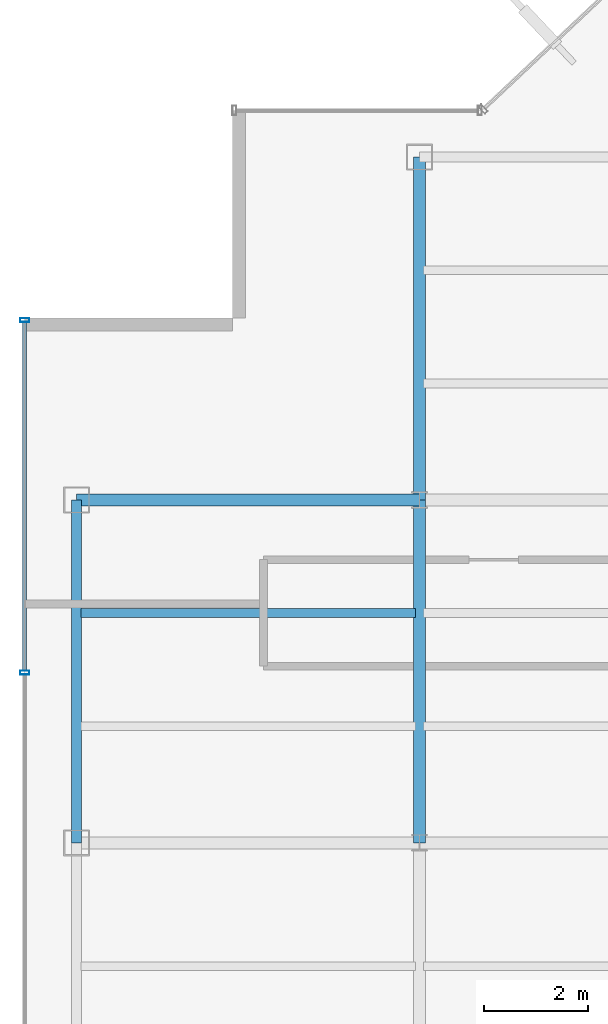
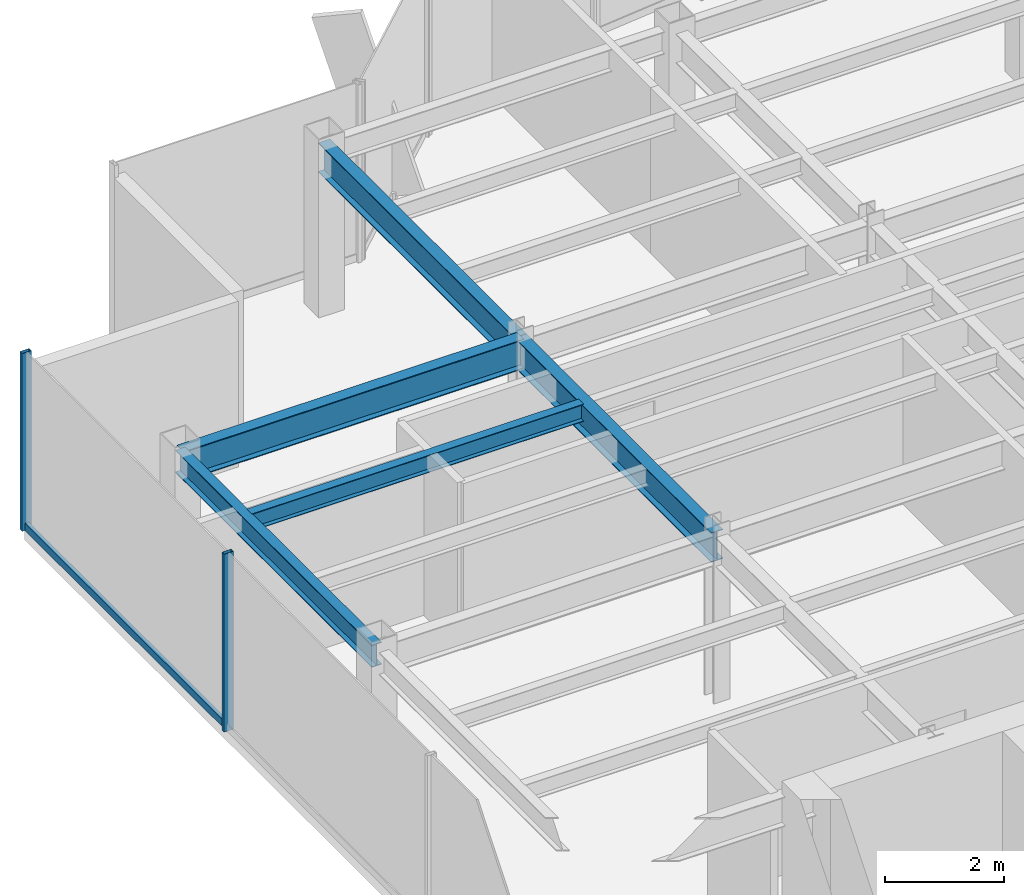
# One storey, part 7 of 22: 5 beams, 3 members, 1 element without a shape of its own.
"""IFC4 building model written with IfcOpenShell, lengths in metres."""

import ifcopenshell
import ifcopenshell.guid

model = None  # the IFC model being written
_history = None  # IfcOwnerHistory: only IFC2X3 demands one
_inside = {}  # id of a spatial element -> (the spatial element, [elements in it])
_under = {}  # id of a project, library or spatial element -> (it, [spatial elements below it])
_declared = {}  # id of a project -> (the project, [libraries it declares])
_typed = {}  # id of a type object -> (the type object, [elements of that type])
_made_of = {}  # id of a material, layer set ... -> (it, [elements and type objects made of it])


def new_model(schema):
    """Start an empty IFC model of exactly this schema.

    Asked for "IFC4X3", IfcOpenShell would pick the latest addendum, in which some entities
    have other attributes; the version numbers below select the first issue.
    IFC2X3 requires an IfcOwnerHistory on every rooted entity: one is made here for all.
    """
    global model, _history
    if schema == "IFC4X3":
        model = ifcopenshell.file(schema_version=(4, 3, 0, 0))
    else:
        model = ifcopenshell.file(schema=schema)
    _inside.clear()
    _under.clear()
    _declared.clear()
    _typed.clear()
    _made_of.clear()
    _history = None
    if model.schema == "IFC2X3":
        org = make("IfcOrganization", Name="unknown")
        user = make(
            "IfcPersonAndOrganization",
            ThePerson=make("IfcPerson", FamilyName="unknown"),
            TheOrganization=org,
        )
        app = make(
            "IfcApplication",
            ApplicationDeveloper=org,
            Version="unknown",
            ApplicationFullName="unknown",
            ApplicationIdentifier="unknown",
        )
        _history = make(
            "IfcOwnerHistory",
            OwningUser=user,
            OwningApplication=app,
            ChangeAction="ADDED",
            CreationDate=0,
        )
    return model


def make(cls, **values):
    """One entity of the class cls with the attributes given. An attribute that is None is left unset."""
    return model.create_entity(
        cls, **{name: value for name, value in values.items() if value is not None}
    )


def rooted(cls, **values):
    """An entity with a GlobalId (a new one), such as an element, a storey or a relation."""
    return make(cls, GlobalId=ifcopenshell.guid.new(), OwnerHistory=_history, **values)


def si_unit(unit_type, name, prefix=None):
    """IfcSIUnit, for example si_unit("LENGTHUNIT", "METRE", prefix="MILLI")."""
    return make("IfcSIUnit", UnitType=unit_type, Prefix=prefix, Name=name)


def derived_unit(unit_type, elements):
    """IfcDerivedUnit: a product of units, each with its exponent."""
    return make(
        "IfcDerivedUnit",
        Elements=[
            make("IfcDerivedUnitElement", Unit=unit, Exponent=power)
            for unit, power in elements
        ],
        UnitType=unit_type,
    )


def assignment(units):
    """IfcUnitAssignment: the units of a project."""
    return None if units is None else make("IfcUnitAssignment", Units=units)


def point(xyz):
    """IfcCartesianPoint."""
    return None if xyz is None else make("IfcCartesianPoint", Coordinates=xyz)


def direction(xyz):
    """IfcDirection."""
    return None if xyz is None else make("IfcDirection", DirectionRatios=xyz)


def frame(location, z_axis=None, x_axis=None):
    """IfcAxis2Placement3D, a coordinate frame: its origin and axes. An axis left out is left unset."""
    return make(
        "IfcAxis2Placement3D",
        Location=point(location),
        Axis=direction(z_axis),
        RefDirection=direction(x_axis),
    )


def frame_2d(location, x_axis=None):
    """IfcAxis2Placement2D, a coordinate frame in the plane: its origin and x axis."""
    return make(
        "IfcAxis2Placement2D", Location=point(location), RefDirection=direction(x_axis)
    )


def origin():
    """The frame at (0, 0, 0) with its axes left unset."""
    return frame((0.0, 0.0, 0.0))


def origin_2d():
    """The frame at (0, 0) in the plane with its x axis left unset."""
    return frame_2d((0.0, 0.0))


def place(relative_to, where):
    """IfcLocalPlacement: puts the frame where relative to a parent placement (None: the world)."""
    return make(
        "IfcLocalPlacement", PlacementRelTo=relative_to, RelativePlacement=where
    )


def context(
    kind, dimensions, precision=None, world=None, true_north=None, identifier=None
):
    """IfcGeometricRepresentationContext, for example the 3D "Model" context."""
    return make(
        "IfcGeometricRepresentationContext",
        ContextIdentifier=identifier,
        ContextType=kind,
        CoordinateSpaceDimension=dimensions,
        Precision=precision,
        WorldCoordinateSystem=world,
        TrueNorth=true_north,
    )


def subcontext(parent, identifier, kind, view, scale=None):
    """IfcGeometricRepresentationSubContext, for example "Body" below "Model"."""
    return make(
        "IfcGeometricRepresentationSubContext",
        ContextIdentifier=identifier,
        ContextType=kind,
        ParentContext=parent,
        TargetScale=scale,
        TargetView=view,
    )


def project(units=None, contexts=None):
    """IfcProject with its units and contexts."""
    return rooted(
        "IfcProject",
        Name="project",
        RepresentationContexts=contexts,
        UnitsInContext=assignment(units),
    )


def spatial(cls, under=None, at=None, **own):
    """A site, building, storey or space (cls), placed at a placement, below another one or the project."""
    s = rooted(cls, ObjectPlacement=at, **own)
    if under is not None:
        _under.setdefault(under.id(), (under, []))[1].append(s)
    return s


def profile(cls, at=None, kind="AREA", **sizes):
    """A parametric profile (cls). Its sizes go by their IFC names, for example OverallWidth=200.0."""
    return make(cls, ProfileType=kind, Position=at, **sizes)


def hollow_rectangle(**sizes):
    """IfcRectangleHollowProfileDef."""
    return profile("IfcRectangleHollowProfileDef", **sizes)


def i_section(**sizes):
    """IfcIShapeProfileDef."""
    return profile("IfcIShapeProfileDef", **sizes)


def extrude(swept, where, along, depth):
    """IfcExtrudedAreaSolid: the profile swept, set in the frame where, extruded along a direction by depth."""
    return make(
        "IfcExtrudedAreaSolid",
        SweptArea=swept,
        Position=where,
        ExtrudedDirection=direction(along),
        Depth=depth,
    )


def shape(context_of_items, identifier, shape_type, items):
    """IfcShapeRepresentation: the items that make up one representation, for example the "Body"."""
    return make(
        "IfcShapeRepresentation",
        ContextOfItems=context_of_items,
        RepresentationIdentifier=identifier,
        RepresentationType=shape_type,
        Items=items,
    )


def source(mapping_origin, context_of_items, identifier, shape_type, items):
    """IfcRepresentationMap: a shape defined once, which mapped items show again and again."""
    return make(
        "IfcRepresentationMap",
        MappingOrigin=mapping_origin,
        MappedRepresentation=shape(context_of_items, identifier, shape_type, items),
    )


def transform(
    local_origin,
    x_axis=None,
    y_axis=None,
    z_axis=None,
    scale=None,
    scale2=None,
    scale3=None,
    uniform=True,
):
    """IfcCartesianTransformationOperator3D, or its non-uniform kind. x_axis, y_axis, z_axis: its Axis1, 2, 3."""
    if uniform:
        return make(
            "IfcCartesianTransformationOperator3D",
            Axis1=direction(x_axis),
            Axis2=direction(y_axis),
            LocalOrigin=point(local_origin),
            Scale=scale,
            Axis3=direction(z_axis),
        )
    return make(
        "IfcCartesianTransformationOperator3DnonUniform",
        Axis1=direction(x_axis),
        Axis2=direction(y_axis),
        LocalOrigin=point(local_origin),
        Scale=scale,
        Axis3=direction(z_axis),
        Scale2=scale2,
        Scale3=scale3,
    )


def mapped(mapping_source, mapping_target):
    """IfcMappedItem: shows the shape of a source again, moved by a transform."""
    return make(
        "IfcMappedItem", MappingSource=mapping_source, MappingTarget=mapping_target
    )


def material(Name=None, Category=None):
    """IfcMaterial."""
    return make("IfcMaterial", Name=Name, Category=Category)


def material_profile(
    of_material, cross_section, Name=None, Category=None, Priority=None
):
    """IfcMaterialProfile: a cross section and its material."""
    return make(
        "IfcMaterialProfile",
        Name=Name,
        Material=of_material,
        Profile=cross_section,
        Priority=Priority,
        Category=Category,
    )


def profile_set(profiles, Name=None, composite=None):
    """IfcMaterialProfileSet."""
    return make(
        "IfcMaterialProfileSet",
        Name=Name,
        MaterialProfiles=profiles,
        CompositeProfile=composite,
    )


def made_of(thing, what):
    """Note that an element or type object is made of a material, layer set ...; save() writes the relation."""
    if what is not None:
        _made_of.setdefault(what.id(), (what, []))[1].append(thing)
    return thing


def type_object(cls, material=None, **own):
    """A type object (cls), such as IfcWallType, which elements share."""
    return made_of(rooted(cls, **own), material)


def element(
    cls,
    number,
    at=None,
    inside=None,
    cuts=None,
    type_object=None,
    material=None,
    context=None,
    identifier="Body",
    shape_type=None,
    held_by="IfcProductDefinitionShape",
    body=None,
    shapes=None,
    **own,
):
    """One element of the class cls, such as IfcWall. Its Tag is "e" and its number.

    at: its placement. inside: the storey or other place that contains it. cuts: it is an
    opening in that element (IfcRelVoidsElement). A single representation is given by context,
    identifier, shape_type and body (its items); several are given by shapes. held_by: the class
    of the entity that holds the representations. save() writes the other relations.
    """
    e = rooted(cls, Tag="e%d" % number, ObjectPlacement=at, **own)
    if body is not None:
        shapes = [shape(context, identifier, shape_type, body)]
    if shapes is not None:
        e.Representation = make(held_by, Representations=shapes)
    if inside is not None:
        _inside.setdefault(inside.id(), (inside, []))[1].append(e)
    if cuts is not None:
        rooted(
            "IfcRelVoidsElement", RelatingBuildingElement=cuts, RelatedOpeningElement=e
        )
    if type_object is not None:
        _typed.setdefault(type_object.id(), (type_object, []))[1].append(e)
    return made_of(e, material)


def aggregate(whole, parts):
    """IfcRelAggregates: a whole, such as a stair, and the parts it consists of."""
    return rooted("IfcRelAggregates", RelatingObject=whole, RelatedObjects=parts)


def save(model, path):
    """Write the relations noted so far, then the file.

    IfcRelAggregates (storeys below a building ...), IfcRelContainedInSpatialStructure (elements
    in a storey), IfcRelDefinesByType, IfcRelAssociatesMaterial and IfcRelDeclares: one each for
    every whole, place, type object, material and project.
    """
    for whole, parts in _under.values():
        aggregate(whole, parts)
    for where, things in _inside.values():
        rooted(
            "IfcRelContainedInSpatialStructure",
            RelatedElements=things,
            RelatingStructure=where,
        )
    for kind, things in _typed.values():
        rooted("IfcRelDefinesByType", RelatedObjects=things, RelatingType=kind)
    for what, things in _made_of.values():
        rooted("IfcRelAssociatesMaterial", RelatedObjects=things, RelatingMaterial=what)
    for by, libraries in _declared.values():
        rooted("IfcRelDeclares", RelatingContext=by, RelatedDefinitions=libraries)
    model.write(path)


model = new_model("IFC4")

# Units and contexts
model_context = context("Model", 3, precision=1e-05, world=origin(), true_north=direction((0.0, 1.0)))
body_context = subcontext(model_context, "Body", "Model", "MODEL_VIEW")
ifc_project = project(units=[si_unit("LENGTHUNIT", "METRE"), si_unit("AREAUNIT", "SQUARE_METRE"), si_unit("VOLUMEUNIT", "CUBIC_METRE"), si_unit("PLANEANGLEUNIT", "RADIAN"), si_unit("MASSUNIT", "GRAM", prefix="KILO"), derived_unit("THERMALTRANSMITTANCEUNIT", [(si_unit("POWERUNIT", "WATT"), 1), (si_unit("LENGTHUNIT", "METRE"), -2), (si_unit("THERMODYNAMICTEMPERATUREUNIT", "KELVIN"), -1)])], contexts=[model_context])

# Site, building, storey
site_placement = place(None, origin())
site = spatial("IfcSite", under=ifc_project, at=site_placement, CompositionType="ELEMENT")
building_placement = place(site_placement, origin())
building = spatial("IfcBuilding", under=site, at=building_placement, Name="Skarnbrae Concourse Arena and Tower", CompositionType="ELEMENT")
storey_placement = place(building_placement, frame((0.0, 0.0, 221.449951171875)))
storey = spatial("IfcBuildingStorey", under=building, at=storey_placement, Name="L57", CompositionType="ELEMENT", Elevation=221.449951171875)

# Beams
ifc_material_1 = material(Name="Steel CSA G40.21 350W", Category="steel")
ifc_material_profile_1 = material_profile(ifc_material_1, i_section(OverallWidth=0.22802734375, OverallDepth=0.60791015625, WebThickness=0.01123046875, FlangeThickness=0.017333984375, at=origin_2d()), Name="W610X113")
ifc_profile_set_1 = profile_set([ifc_material_profile_1], Name="Steel CSA G40.21 350W")
beam_type_1 = type_object("IfcBeamType", Name="BM-GIRD-W610X113", PredefinedType="BEAM", material=ifc_profile_set_1)
shared_shape_1 = source(origin(), body_context, "Body", "SweptSolid", [
    extrude(i_section(OverallWidth=0.22802734375, OverallDepth=0.60791015625, WebThickness=0.01123046875, FlangeThickness=0.017333984375, at=origin_2d()), origin(), (0.0, 0.0, 1.0), 6.60009765625),
])
for number, where, z_axis, x_axis, name in (
    (1, (1.0, 27.800048828125, 3.095947265625), (1.0, 0.0, 0.0), (0.0, 1.0, 0.0), "L57 Primary E-W girder Y27.8-1"),
    (2, (7.60009765625, 21.199951171875, 3.095947265625), (0.0, 1.0, 0.0), (-1.0, 0.0, 0.0), "L57 Primary N-S girder X7.6-2"),
):
    element("IfcBeam", number, at=place(storey_placement, frame(where, z_axis=z_axis, x_axis=x_axis)), inside=storey, type_object=beam_type_1, Name=name, PredefinedType="BEAM", context=body_context, shape_type="MappedRepresentation", body=[
        mapped(shared_shape_1, transform((0.0, 0.0, 0.0))),
    ])
ifc_material_profile_2 = material_profile(ifc_material_1, i_section(OverallWidth=0.19091796875, OverallDepth=0.4599609375, WebThickness=0.010009765625, FlangeThickness=0.01611328125, at=origin_2d()), Name="W460X82")
ifc_profile_set_2 = profile_set([ifc_material_profile_2], Name="Steel CSA G40.21 350W")
beam_type_2 = type_object("IfcBeamType", Name="BM-SPAN-W460X82", PredefinedType="SPANDREL", material=ifc_profile_set_2)
shared_shape_2 = source(origin(), body_context, "Body", "SweptSolid", [
    extrude(i_section(OverallWidth=0.19091796875, OverallDepth=0.4599609375, WebThickness=0.010009765625, FlangeThickness=0.01611328125, at=origin_2d()), origin(), (0.0, 0.0, 1.0), 6.60009765625),
])
beam_1_placement = place(storey_placement, frame((1.0, 21.199951171875, 3.170166015625), z_axis=(0.0, 1.0, 0.0), x_axis=(-1.0, 0.0, 0.0)))
element("IfcBeam", 3, at=beam_1_placement, inside=storey, type_object=beam_type_2, Name="L57 Perimeter spandrel X1.0-3", PredefinedType="SPANDREL", context=body_context, shape_type="MappedRepresentation", body=[
    mapped(shared_shape_2, transform((0.0, 0.0, 0.0))),
])
shared_shape_3 = source(origin(), body_context, "Body", "SweptSolid", [
    extrude(i_section(OverallWidth=0.22802734375, OverallDepth=0.60791015625, WebThickness=0.01123046875, FlangeThickness=0.017333984375, at=origin_2d()), origin(), (0.0, 0.0, 1.0), 6.599853515625),
])
beam_2_placement = place(storey_placement, frame((7.60009765625, 27.800048828125, 3.095947265625), z_axis=(0.0, 1.0, 0.0), x_axis=(-1.0, 0.0, 0.0)))
element("IfcBeam", 4, at=beam_2_placement, inside=storey, type_object=beam_type_1, Name="L57 Primary N-S girder X7.6-3", PredefinedType="BEAM", context=body_context, shape_type="MappedRepresentation", body=[
    mapped(shared_shape_3, transform((0.0, 0.0, 0.0))),
])
ifc_material_profile_3 = material_profile(ifc_material_1, i_section(OverallWidth=0.1708984375, OverallDepth=0.35498046875, WebThickness=0.007080078125, FlangeThickness=0.01171875, at=origin_2d()), Name="W360X51")
ifc_profile_set_3 = profile_set([ifc_material_profile_3], Name="Steel CSA G40.21 350W")
beam_type_3 = type_object("IfcBeamType", Name="BM-JOIST-W360X51", PredefinedType="JOIST", material=ifc_profile_set_3)
shared_shape_4 = source(origin(), body_context, "Body", "SweptSolid", [
    extrude(i_section(OverallWidth=0.1708984375, OverallDepth=0.35498046875, WebThickness=0.007080078125, FlangeThickness=0.01171875, at=origin_2d()), origin(), (0.0, 0.0, 1.0), 6.43994140625),
])
beam_3_placement = place(storey_placement, frame((1.080078125, 25.6220703125, 3.22265625), z_axis=(1.0, 0.0, 0.0), x_axis=(0.0, 1.0, 0.0)))
element("IfcBeam", 5, at=beam_3_placement, inside=storey, type_object=beam_type_3, Name="L57 Secondary floor joist 2.2.1", PredefinedType="JOIST", context=body_context, shape_type="MappedRepresentation", body=[
    mapped(shared_shape_4, transform((0.0, 0.0, 0.0))),
])

# Curtain wall, members
ifc_material_2 = material(Name="Bronze anodised aluminium 6063-T6", Category="aluminium")
curtain_wall_type = type_object("IfcCurtainWallType", Name="CW-SYS-05-HIGHZONE", PredefinedType="USERDEFINED", material=ifc_material_2)
curtain_wall_placement = place(storey_placement, origin())
curtain_wall = element("IfcCurtainWall", 6, at=curtain_wall_placement, inside=storey, type_object=curtain_wall_type, Name="L57 Unitised curtain wall CW-L57-E18", ObjectType="UNITISED CURTAIN WALL", PredefinedType="USERDEFINED")
ifc_material_profile_4 = material_profile(ifc_material_2, hollow_rectangle(XDim=0.074951171875, YDim=0.14990234375, WallThickness=0.00390625, at=origin_2d()), Name="ALU-TRAN-75X150")
ifc_profile_set_4 = profile_set([ifc_material_profile_4], Name="Bronze anodised aluminium 6063-T6")
member_type_1 = type_object("IfcMemberType", Name="CWT-CW-05", PredefinedType="USERDEFINED", material=ifc_profile_set_4)
shared_shape_5 = source(origin(), body_context, "Body", "SweptSolid", [
    extrude(hollow_rectangle(XDim=0.074951171875, YDim=0.14990234375, WallThickness=0.00390625, at=origin_2d()), origin(), (0.0, 0.0, 1.0), 6.712646484375),
])
member_1_placement = place(storey_placement, frame((0.0, 31.22509765625, 0.074951171875), z_axis=(0.0, -1.0, 0.0), x_axis=(1.0, 0.0, 0.0)))
member_1 = element("IfcMember", 7, at=member_1_placement, type_object=member_type_1, Name="CW-L57-E18 Transom 1", ObjectType="TRANSOM", PredefinedType="USERDEFINED", context=body_context, shape_type="MappedRepresentation", body=[
    mapped(shared_shape_5, transform((0.0, 0.0, 0.0))),
])
ifc_material_profile_5 = material_profile(ifc_material_2, hollow_rectangle(XDim=0.074951171875, YDim=0.179931640625, WallThickness=0.00390625, at=origin_2d()), Name="ALU-MULL-75X180")
ifc_profile_set_5 = profile_set([ifc_material_profile_5], Name="Bronze anodised aluminium 6063-T6")
member_type_2 = type_object("IfcMemberType", Name="CWM-CW-05", PredefinedType="MULLION", material=ifc_profile_set_5)
shared_shape_6 = source(origin(), body_context, "Body", "SweptSolid", [
    extrude(hollow_rectangle(XDim=0.074951171875, YDim=0.179931640625, WallThickness=0.00390625, at=origin_2d()), origin(), (0.0, 0.0, 1.0), 3.650146484375),
])
member_2_placement = place(storey_placement, frame((0.0, 31.262451171875, 0.0), z_axis=(0.0, 0.0, 1.0), x_axis=(0.0, -1.0, 0.0)))
member_2 = element("IfcMember", 8, at=member_2_placement, type_object=member_type_2, Name="CW-L57-E18 Mullion 1", PredefinedType="MULLION", context=body_context, shape_type="MappedRepresentation", body=[
    mapped(shared_shape_6, transform((0.0, 0.0, 0.0))),
])
member_3_placement = place(storey_placement, frame((0.0, 24.47509765625, 0.0), z_axis=(0.0, 0.0, 1.0), x_axis=(0.0, -1.0, 0.0)))
member_3 = element("IfcMember", 9, at=member_3_placement, type_object=member_type_2, Name="CW-L57-E18 Mullion 2", PredefinedType="MULLION", context=body_context, shape_type="MappedRepresentation", body=[
    mapped(shared_shape_6, transform((0.0, 0.0, 0.0))),
])
aggregate(curtain_wall, [member_2, member_3, member_1])

save(model, "model.ifc")
